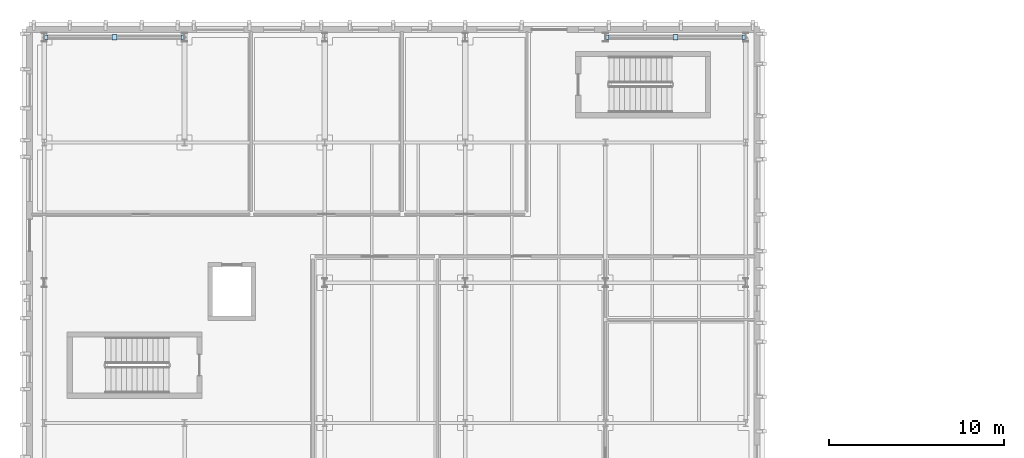
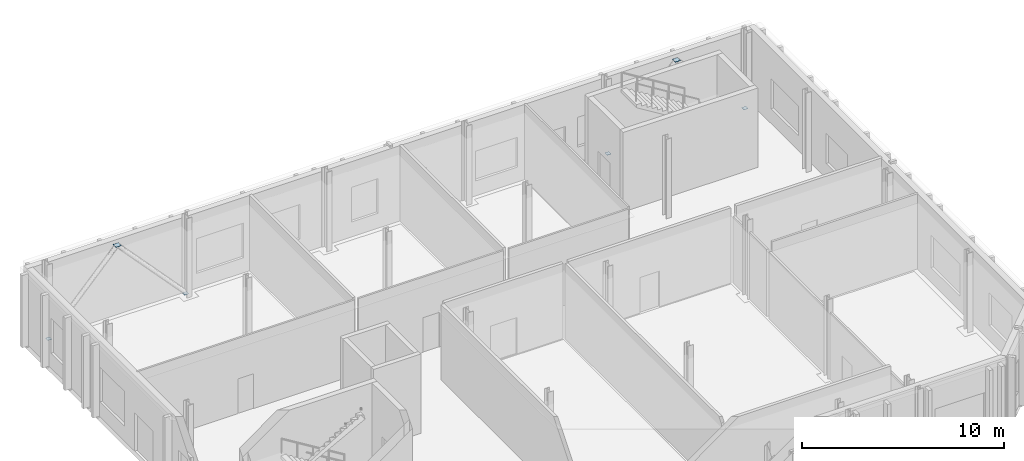
# One storey, part 19 of 60: 6 plates.
"""IFC4 building model written with IfcOpenShell, lengths in metres."""

import ifcopenshell
import ifcopenshell.guid

model = None  # the IFC model being written
_history = None  # IfcOwnerHistory: only IFC2X3 demands one
_inside = {}  # id of a spatial element -> (the spatial element, [elements in it])
_under = {}  # id of a project, library or spatial element -> (it, [spatial elements below it])
_declared = {}  # id of a project -> (the project, [libraries it declares])
_typed = {}  # id of a type object -> (the type object, [elements of that type])
_made_of = {}  # id of a material, layer set ... -> (it, [elements and type objects made of it])


def new_model(schema):
    """Start an empty IFC model of exactly this schema.

    Asked for "IFC4X3", IfcOpenShell would pick the latest addendum, in which some entities
    have other attributes; the version numbers below select the first issue.
    IFC2X3 requires an IfcOwnerHistory on every rooted entity: one is made here for all.
    """
    global model, _history
    if schema == "IFC4X3":
        model = ifcopenshell.file(schema_version=(4, 3, 0, 0))
    else:
        model = ifcopenshell.file(schema=schema)
    _inside.clear()
    _under.clear()
    _declared.clear()
    _typed.clear()
    _made_of.clear()
    _history = None
    if model.schema == "IFC2X3":
        org = make("IfcOrganization", Name="unknown")
        user = make(
            "IfcPersonAndOrganization",
            ThePerson=make("IfcPerson", FamilyName="unknown"),
            TheOrganization=org,
        )
        app = make(
            "IfcApplication",
            ApplicationDeveloper=org,
            Version="unknown",
            ApplicationFullName="unknown",
            ApplicationIdentifier="unknown",
        )
        _history = make(
            "IfcOwnerHistory",
            OwningUser=user,
            OwningApplication=app,
            ChangeAction="ADDED",
            CreationDate=0,
        )
    return model


def make(cls, **values):
    """One entity of the class cls with the attributes given. An attribute that is None is left unset."""
    return model.create_entity(
        cls, **{name: value for name, value in values.items() if value is not None}
    )


def rooted(cls, **values):
    """An entity with a GlobalId (a new one), such as an element, a storey or a relation."""
    return make(cls, GlobalId=ifcopenshell.guid.new(), OwnerHistory=_history, **values)


def si_unit(unit_type, name, prefix=None):
    """IfcSIUnit, for example si_unit("LENGTHUNIT", "METRE", prefix="MILLI")."""
    return make("IfcSIUnit", UnitType=unit_type, Prefix=prefix, Name=name)


def assignment(units):
    """IfcUnitAssignment: the units of a project."""
    return None if units is None else make("IfcUnitAssignment", Units=units)


def point(xyz):
    """IfcCartesianPoint."""
    return None if xyz is None else make("IfcCartesianPoint", Coordinates=xyz)


def direction(xyz):
    """IfcDirection."""
    return None if xyz is None else make("IfcDirection", DirectionRatios=xyz)


def frame(location, z_axis=None, x_axis=None):
    """IfcAxis2Placement3D, a coordinate frame: its origin and axes. An axis left out is left unset."""
    return make(
        "IfcAxis2Placement3D",
        Location=point(location),
        Axis=direction(z_axis),
        RefDirection=direction(x_axis),
    )


def frame_2d(location, x_axis=None):
    """IfcAxis2Placement2D, a coordinate frame in the plane: its origin and x axis."""
    return make(
        "IfcAxis2Placement2D", Location=point(location), RefDirection=direction(x_axis)
    )


def origin():
    """The frame at (0, 0, 0) with its axes left unset."""
    return frame((0.0, 0.0, 0.0))


def origin_2d():
    """The frame at (0, 0) in the plane with its x axis left unset."""
    return frame_2d((0.0, 0.0))


def place(relative_to, where):
    """IfcLocalPlacement: puts the frame where relative to a parent placement (None: the world)."""
    return make(
        "IfcLocalPlacement", PlacementRelTo=relative_to, RelativePlacement=where
    )


def context(
    kind, dimensions, precision=None, world=None, true_north=None, identifier=None
):
    """IfcGeometricRepresentationContext, for example the 3D "Model" context."""
    return make(
        "IfcGeometricRepresentationContext",
        ContextIdentifier=identifier,
        ContextType=kind,
        CoordinateSpaceDimension=dimensions,
        Precision=precision,
        WorldCoordinateSystem=world,
        TrueNorth=true_north,
    )


def subcontext(parent, identifier, kind, view, scale=None):
    """IfcGeometricRepresentationSubContext, for example "Body" below "Model"."""
    return make(
        "IfcGeometricRepresentationSubContext",
        ContextIdentifier=identifier,
        ContextType=kind,
        ParentContext=parent,
        TargetScale=scale,
        TargetView=view,
    )


def project(units=None, contexts=None):
    """IfcProject with its units and contexts."""
    return rooted(
        "IfcProject",
        Name="project",
        RepresentationContexts=contexts,
        UnitsInContext=assignment(units),
    )


def spatial(cls, under=None, at=None, **own):
    """A site, building, storey or space (cls), placed at a placement, below another one or the project."""
    s = rooted(cls, ObjectPlacement=at, **own)
    if under is not None:
        _under.setdefault(under.id(), (under, []))[1].append(s)
    return s


def profile(cls, at=None, kind="AREA", **sizes):
    """A parametric profile (cls). Its sizes go by their IFC names, for example OverallWidth=200.0."""
    return make(cls, ProfileType=kind, Position=at, **sizes)


def rectangle(**sizes):
    """IfcRectangleProfileDef."""
    return profile("IfcRectangleProfileDef", **sizes)


def extrude(swept, where, along, depth):
    """IfcExtrudedAreaSolid: the profile swept, set in the frame where, extruded along a direction by depth."""
    return make(
        "IfcExtrudedAreaSolid",
        SweptArea=swept,
        Position=where,
        ExtrudedDirection=direction(along),
        Depth=depth,
    )


def shape(context_of_items, identifier, shape_type, items):
    """IfcShapeRepresentation: the items that make up one representation, for example the "Body"."""
    return make(
        "IfcShapeRepresentation",
        ContextOfItems=context_of_items,
        RepresentationIdentifier=identifier,
        RepresentationType=shape_type,
        Items=items,
    )


def material(Name=None, Category=None):
    """IfcMaterial."""
    return make("IfcMaterial", Name=Name, Category=Category)


def layer(
    of_material, thickness, ventilated=None, Name=None, Category=None, Priority=None
):
    """IfcMaterialLayer: one layer of a wall or slab, of a material (None: an air gap)."""
    return make(
        "IfcMaterialLayer",
        Material=of_material,
        LayerThickness=thickness,
        IsVentilated=ventilated,
        Name=Name,
        Category=Category,
        Priority=Priority,
    )


def layer_set(layers, Name=None):
    """IfcMaterialLayerSet."""
    return make("IfcMaterialLayerSet", MaterialLayers=layers, LayerSetName=Name)


def made_of(thing, what):
    """Note that an element or type object is made of a material, layer set ...; save() writes the relation."""
    if what is not None:
        _made_of.setdefault(what.id(), (what, []))[1].append(thing)
    return thing


def type_object(cls, material=None, **own):
    """A type object (cls), such as IfcWallType, which elements share."""
    return made_of(rooted(cls, **own), material)


def element(
    cls,
    number,
    at=None,
    inside=None,
    cuts=None,
    type_object=None,
    material=None,
    context=None,
    identifier="Body",
    shape_type=None,
    held_by="IfcProductDefinitionShape",
    body=None,
    shapes=None,
    **own,
):
    """One element of the class cls, such as IfcWall. Its Tag is "e" and its number.

    at: its placement. inside: the storey or other place that contains it. cuts: it is an
    opening in that element (IfcRelVoidsElement). A single representation is given by context,
    identifier, shape_type and body (its items); several are given by shapes. held_by: the class
    of the entity that holds the representations. save() writes the other relations.
    """
    e = rooted(cls, Tag="e%d" % number, ObjectPlacement=at, **own)
    if body is not None:
        shapes = [shape(context, identifier, shape_type, body)]
    if shapes is not None:
        e.Representation = make(held_by, Representations=shapes)
    if inside is not None:
        _inside.setdefault(inside.id(), (inside, []))[1].append(e)
    if cuts is not None:
        rooted(
            "IfcRelVoidsElement", RelatingBuildingElement=cuts, RelatedOpeningElement=e
        )
    if type_object is not None:
        _typed.setdefault(type_object.id(), (type_object, []))[1].append(e)
    return made_of(e, material)


def aggregate(whole, parts):
    """IfcRelAggregates: a whole, such as a stair, and the parts it consists of."""
    return rooted("IfcRelAggregates", RelatingObject=whole, RelatedObjects=parts)


def save(model, path):
    """Write the relations noted so far, then the file.

    IfcRelAggregates (storeys below a building ...), IfcRelContainedInSpatialStructure (elements
    in a storey), IfcRelDefinesByType, IfcRelAssociatesMaterial and IfcRelDeclares: one each for
    every whole, place, type object, material and project.
    """
    for whole, parts in _under.values():
        aggregate(whole, parts)
    for where, things in _inside.values():
        rooted(
            "IfcRelContainedInSpatialStructure",
            RelatedElements=things,
            RelatingStructure=where,
        )
    for kind, things in _typed.values():
        rooted("IfcRelDefinesByType", RelatedObjects=things, RelatingType=kind)
    for what, things in _made_of.values():
        rooted("IfcRelAssociatesMaterial", RelatedObjects=things, RelatingMaterial=what)
    for by, libraries in _declared.values():
        rooted("IfcRelDeclares", RelatingContext=by, RelatedDefinitions=libraries)
    model.write(path)


model = new_model("IFC4")

# Units and contexts
model_context = context("Model", 3, precision=1e-05, world=origin(), true_north=direction((0.0, 1.0)))
body_context = subcontext(model_context, "Body", "Model", "MODEL_VIEW")
ifc_project = project(units=[si_unit("LENGTHUNIT", "METRE"), si_unit("AREAUNIT", "SQUARE_METRE"), si_unit("VOLUMEUNIT", "CUBIC_METRE"), si_unit("PLANEANGLEUNIT", "RADIAN"), si_unit("MASSUNIT", "GRAM", prefix="KILO")], contexts=[model_context])

# Site, building, storey
site_placement = place(None, origin())
site = spatial("IfcSite", under=ifc_project, at=site_placement, CompositionType="ELEMENT")
building_placement = place(site_placement, origin())
building = spatial("IfcBuilding", under=site, at=building_placement, Name="Cymarion Research Institute", CompositionType="ELEMENT")
storey_placement = place(building_placement, origin())
storey = spatial("IfcBuildingStorey", under=building, at=storey_placement, Name="L00", CompositionType="ELEMENT", Elevation=0.0)

# Plates
ifc_material = material(Name="Steel S355", Category="steel")
ifc_layer_1 = layer(ifc_material, 0.01806640625)
ifc_layer_set_1 = layer_set([ifc_layer_1], Name="Steel S355")
plate_type_1 = type_object("IfcPlateType", Name="STEEL NODE GUSSET PLATE CP01 18MM", PredefinedType="USERDEFINED", material=ifc_layer_set_1)
for number, where, z_axis, x_axis, name in (
    (1, (10.60009765625, 115.5, 4.40087890625), (0.0, 0.0, 1.0), (1.0, 0.0, 0.0), "L00 V5 chevron apex gusset plate"),
    (2, (42.60009765625, 115.5, 4.40087890625), (0.0, 0.0, 1.0), (1.0, 0.0, 0.0), "L00 V5 chevron apex gusset plate"),
):
    element("IfcPlate", number, at=place(storey_placement, frame(where, z_axis=z_axis, x_axis=x_axis)), inside=storey, type_object=plate_type_1, Name=name, ObjectType="GUSSET PLATE", PredefinedType="USERDEFINED", context=body_context, shape_type="SweptSolid", body=[
        extrude(rectangle(XDim=0.300048828125, YDim=0.300048828125, at=origin_2d()), origin(), (0.0, 0.0, 1.0), 0.01806640625),
    ])
ifc_layer_2 = layer(ifc_material, 0.011962890625)
ifc_layer_set_2 = layer_set([ifc_layer_2], Name="Steel S355")
plate_type_2 = type_object("IfcPlateType", Name="STEEL NODE GUSSET PLATE CP02 12MM", PredefinedType="USERDEFINED", material=ifc_layer_set_2)
for number, where, z_axis, x_axis, name in (
    (3, (6.681884765625, 115.5, 0.1142578125), (0.0, 0.0, 1.0), (1.0, 0.0, 0.0), "L00 V5 chevron base gusset plate #1"),
    (4, (14.518310546875, 115.5, 0.1142578125), (0.0, 0.0, 1.0), (1.0, 0.0, 0.0), "L00 V5 chevron base gusset plate #2"),
    (5, (38.681884765625, 115.5, 0.1142578125), (0.0, 0.0, 1.0), (1.0, 0.0, 0.0), "L00 V5 chevron base gusset plate #1"),
    (6, (46.518310546875, 115.5, 0.1142578125), (0.0, 0.0, 1.0), (1.0, 0.0, 0.0), "L00 V5 chevron base gusset plate #2"),
):
    element("IfcPlate", number, at=place(storey_placement, frame(where, z_axis=z_axis, x_axis=x_axis)), inside=storey, type_object=plate_type_2, Name=name, ObjectType="GUSSET PLATE", PredefinedType="USERDEFINED", context=body_context, shape_type="SweptSolid", body=[
        extrude(rectangle(XDim=0.239990234375, YDim=0.239990234375, at=origin_2d()), origin(), (0.0, 0.0, 1.0), 0.011962890625),
    ])

save(model, "model.ifc")
